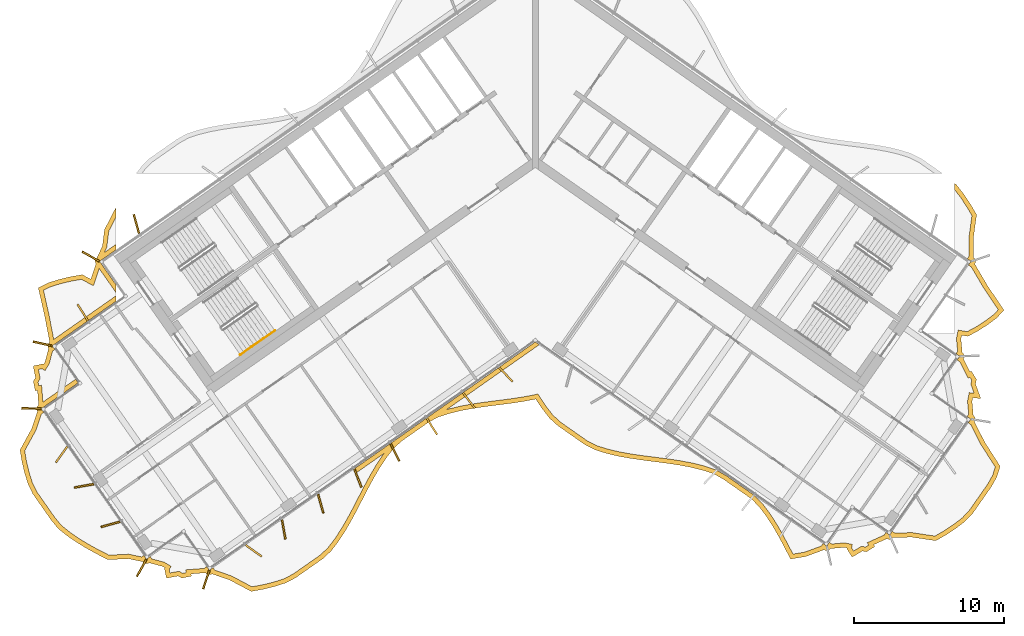
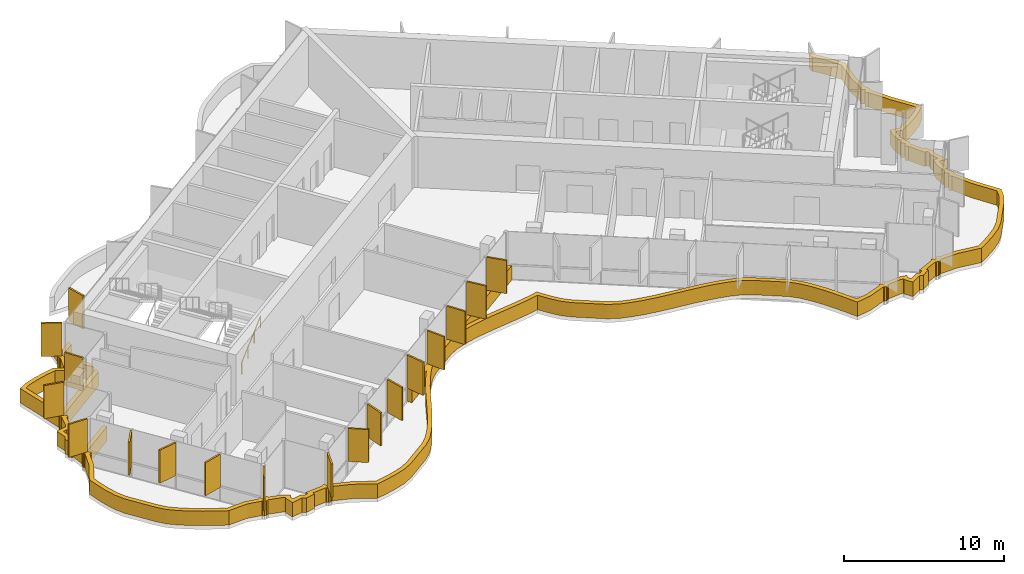
# One storey, part 13 of 17: 19 shading devices, 1 railing.
"""IFC4 building model written with IfcOpenShell, lengths in metres."""

import ifcopenshell
import ifcopenshell.guid

model = None  # the IFC model being written
_history = None  # IfcOwnerHistory: only IFC2X3 demands one
_inside = {}  # id of a spatial element -> (the spatial element, [elements in it])
_under = {}  # id of a project, library or spatial element -> (it, [spatial elements below it])
_declared = {}  # id of a project -> (the project, [libraries it declares])
_typed = {}  # id of a type object -> (the type object, [elements of that type])
_made_of = {}  # id of a material, layer set ... -> (it, [elements and type objects made of it])


def new_model(schema):
    """Start an empty IFC model of exactly this schema.

    Asked for "IFC4X3", IfcOpenShell would pick the latest addendum, in which some entities
    have other attributes; the version numbers below select the first issue.
    IFC2X3 requires an IfcOwnerHistory on every rooted entity: one is made here for all.
    """
    global model, _history
    if schema == "IFC4X3":
        model = ifcopenshell.file(schema_version=(4, 3, 0, 0))
    else:
        model = ifcopenshell.file(schema=schema)
    _inside.clear()
    _under.clear()
    _declared.clear()
    _typed.clear()
    _made_of.clear()
    _history = None
    if model.schema == "IFC2X3":
        org = make("IfcOrganization", Name="unknown")
        user = make(
            "IfcPersonAndOrganization",
            ThePerson=make("IfcPerson", FamilyName="unknown"),
            TheOrganization=org,
        )
        app = make(
            "IfcApplication",
            ApplicationDeveloper=org,
            Version="unknown",
            ApplicationFullName="unknown",
            ApplicationIdentifier="unknown",
        )
        _history = make(
            "IfcOwnerHistory",
            OwningUser=user,
            OwningApplication=app,
            ChangeAction="ADDED",
            CreationDate=0,
        )
    return model


def make(cls, **values):
    """One entity of the class cls with the attributes given. An attribute that is None is left unset."""
    return model.create_entity(
        cls, **{name: value for name, value in values.items() if value is not None}
    )


def rooted(cls, **values):
    """An entity with a GlobalId (a new one), such as an element, a storey or a relation."""
    return make(cls, GlobalId=ifcopenshell.guid.new(), OwnerHistory=_history, **values)


def si_unit(unit_type, name, prefix=None):
    """IfcSIUnit, for example si_unit("LENGTHUNIT", "METRE", prefix="MILLI")."""
    return make("IfcSIUnit", UnitType=unit_type, Prefix=prefix, Name=name)


def assignment(units):
    """IfcUnitAssignment: the units of a project."""
    return None if units is None else make("IfcUnitAssignment", Units=units)


def point(xyz):
    """IfcCartesianPoint."""
    return None if xyz is None else make("IfcCartesianPoint", Coordinates=xyz)


def direction(xyz):
    """IfcDirection."""
    return None if xyz is None else make("IfcDirection", DirectionRatios=xyz)


def frame(location, z_axis=None, x_axis=None):
    """IfcAxis2Placement3D, a coordinate frame: its origin and axes. An axis left out is left unset."""
    return make(
        "IfcAxis2Placement3D",
        Location=point(location),
        Axis=direction(z_axis),
        RefDirection=direction(x_axis),
    )


def frame_2d(location, x_axis=None):
    """IfcAxis2Placement2D, a coordinate frame in the plane: its origin and x axis."""
    return make(
        "IfcAxis2Placement2D", Location=point(location), RefDirection=direction(x_axis)
    )


def origin():
    """The frame at (0, 0, 0) with its axes left unset."""
    return frame((0.0, 0.0, 0.0))


def origin_2d():
    """The frame at (0, 0) in the plane with its x axis left unset."""
    return frame_2d((0.0, 0.0))


def place(relative_to, where):
    """IfcLocalPlacement: puts the frame where relative to a parent placement (None: the world)."""
    return make(
        "IfcLocalPlacement", PlacementRelTo=relative_to, RelativePlacement=where
    )


def context(
    kind, dimensions, precision=None, world=None, true_north=None, identifier=None
):
    """IfcGeometricRepresentationContext, for example the 3D "Model" context."""
    return make(
        "IfcGeometricRepresentationContext",
        ContextIdentifier=identifier,
        ContextType=kind,
        CoordinateSpaceDimension=dimensions,
        Precision=precision,
        WorldCoordinateSystem=world,
        TrueNorth=true_north,
    )


def subcontext(parent, identifier, kind, view, scale=None):
    """IfcGeometricRepresentationSubContext, for example "Body" below "Model"."""
    return make(
        "IfcGeometricRepresentationSubContext",
        ContextIdentifier=identifier,
        ContextType=kind,
        ParentContext=parent,
        TargetScale=scale,
        TargetView=view,
    )


def project(units=None, contexts=None):
    """IfcProject with its units and contexts."""
    return rooted(
        "IfcProject",
        Name="project",
        RepresentationContexts=contexts,
        UnitsInContext=assignment(units),
    )


def spatial(cls, under=None, at=None, **own):
    """A site, building, storey or space (cls), placed at a placement, below another one or the project."""
    s = rooted(cls, ObjectPlacement=at, **own)
    if under is not None:
        _under.setdefault(under.id(), (under, []))[1].append(s)
    return s


def polyline(points):
    """IfcPolyline through the points."""
    return make("IfcPolyline", Points=[point(p) for p in points])


def profile(cls, at=None, kind="AREA", **sizes):
    """A parametric profile (cls). Its sizes go by their IFC names, for example OverallWidth=200.0."""
    return make(cls, ProfileType=kind, Position=at, **sizes)


def rectangle(**sizes):
    """IfcRectangleProfileDef."""
    return profile("IfcRectangleProfileDef", **sizes)


def circle(**sizes):
    """IfcCircleProfileDef."""
    return profile("IfcCircleProfileDef", **sizes)


def outline(outer, holes=None, kind="AREA"):
    """IfcArbitraryClosedProfileDef: a profile drawn as a closed curve; with holes, ...WithVoids."""
    if holes is None:
        return make("IfcArbitraryClosedProfileDef", ProfileType=kind, OuterCurve=outer)
    return make(
        "IfcArbitraryProfileDefWithVoids",
        ProfileType=kind,
        OuterCurve=outer,
        InnerCurves=holes,
    )


def extrude(swept, where, along, depth):
    """IfcExtrudedAreaSolid: the profile swept, set in the frame where, extruded along a direction by depth."""
    return make(
        "IfcExtrudedAreaSolid",
        SweptArea=swept,
        Position=where,
        ExtrudedDirection=direction(along),
        Depth=depth,
    )


def shape(context_of_items, identifier, shape_type, items):
    """IfcShapeRepresentation: the items that make up one representation, for example the "Body"."""
    return make(
        "IfcShapeRepresentation",
        ContextOfItems=context_of_items,
        RepresentationIdentifier=identifier,
        RepresentationType=shape_type,
        Items=items,
    )


def material(Name=None, Category=None):
    """IfcMaterial."""
    return make("IfcMaterial", Name=Name, Category=Category)


def layer(
    of_material, thickness, ventilated=None, Name=None, Category=None, Priority=None
):
    """IfcMaterialLayer: one layer of a wall or slab, of a material (None: an air gap)."""
    return make(
        "IfcMaterialLayer",
        Material=of_material,
        LayerThickness=thickness,
        IsVentilated=ventilated,
        Name=Name,
        Category=Category,
        Priority=Priority,
    )


def layer_set(layers, Name=None):
    """IfcMaterialLayerSet."""
    return make("IfcMaterialLayerSet", MaterialLayers=layers, LayerSetName=Name)


def made_of(thing, what):
    """Note that an element or type object is made of a material, layer set ...; save() writes the relation."""
    if what is not None:
        _made_of.setdefault(what.id(), (what, []))[1].append(thing)
    return thing


def type_object(cls, material=None, **own):
    """A type object (cls), such as IfcWallType, which elements share."""
    return made_of(rooted(cls, **own), material)


def element(
    cls,
    number,
    at=None,
    inside=None,
    cuts=None,
    type_object=None,
    material=None,
    context=None,
    identifier="Body",
    shape_type=None,
    held_by="IfcProductDefinitionShape",
    body=None,
    shapes=None,
    **own,
):
    """One element of the class cls, such as IfcWall. Its Tag is "e" and its number.

    at: its placement. inside: the storey or other place that contains it. cuts: it is an
    opening in that element (IfcRelVoidsElement). A single representation is given by context,
    identifier, shape_type and body (its items); several are given by shapes. held_by: the class
    of the entity that holds the representations. save() writes the other relations.
    """
    e = rooted(cls, Tag="e%d" % number, ObjectPlacement=at, **own)
    if body is not None:
        shapes = [shape(context, identifier, shape_type, body)]
    if shapes is not None:
        e.Representation = make(held_by, Representations=shapes)
    if inside is not None:
        _inside.setdefault(inside.id(), (inside, []))[1].append(e)
    if cuts is not None:
        rooted(
            "IfcRelVoidsElement", RelatingBuildingElement=cuts, RelatedOpeningElement=e
        )
    if type_object is not None:
        _typed.setdefault(type_object.id(), (type_object, []))[1].append(e)
    return made_of(e, material)


def aggregate(whole, parts):
    """IfcRelAggregates: a whole, such as a stair, and the parts it consists of."""
    return rooted("IfcRelAggregates", RelatingObject=whole, RelatedObjects=parts)


def save(model, path):
    """Write the relations noted so far, then the file.

    IfcRelAggregates (storeys below a building ...), IfcRelContainedInSpatialStructure (elements
    in a storey), IfcRelDefinesByType, IfcRelAssociatesMaterial and IfcRelDeclares: one each for
    every whole, place, type object, material and project.
    """
    for whole, parts in _under.values():
        aggregate(whole, parts)
    for where, things in _inside.values():
        rooted(
            "IfcRelContainedInSpatialStructure",
            RelatedElements=things,
            RelatingStructure=where,
        )
    for kind, things in _typed.values():
        rooted("IfcRelDefinesByType", RelatedObjects=things, RelatingType=kind)
    for what, things in _made_of.values():
        rooted("IfcRelAssociatesMaterial", RelatedObjects=things, RelatingMaterial=what)
    for by, libraries in _declared.values():
        rooted("IfcRelDeclares", RelatingContext=by, RelatedDefinitions=libraries)
    model.write(path)


model = new_model("IFC4")

# Units and contexts
model_context = context("Model", 3, precision=1e-05, world=origin(), true_north=direction((0.0, 1.0)))
body_context = subcontext(model_context, "Body", "Model", "MODEL_VIEW")
ifc_project = project(units=[si_unit("LENGTHUNIT", "METRE"), si_unit("AREAUNIT", "SQUARE_METRE"), si_unit("VOLUMEUNIT", "CUBIC_METRE"), si_unit("PLANEANGLEUNIT", "RADIAN"), si_unit("MASSUNIT", "GRAM", prefix="KILO")], contexts=[model_context])

# Site, building, storey
site_placement = place(None, origin())
site = spatial("IfcSite", under=ifc_project, at=site_placement, CompositionType="ELEMENT")
building_placement = place(site_placement, origin())
building = spatial("IfcBuilding", under=site, at=building_placement, Name="Tel Ilan Convention Tower", CompositionType="ELEMENT")
storey_placement = place(building_placement, frame((0.0, 0.0, 280.0)))
storey = spatial("IfcBuildingStorey", under=building, at=storey_placement, Name="L66", CompositionType="ELEMENT", Elevation=280.0)

# Shading devices
ifc_material_1 = material(Name="Aluminium, bronze anodised", Category="aluminium")
ifc_layer_1 = layer(ifc_material_1, 0.1201171875)
ifc_layer_set_1 = layer_set([ifc_layer_1], Name="FIN BRONZE 1300x120")
shading_device_type_1 = type_object("IfcShadingDeviceType", Name="FIN BRONZE 1300x120", PredefinedType="USERDEFINED", material=ifc_layer_set_1)
for number, where, z_axis, x_axis, name in (
    (1, (-26.51171875, -4.9736328125, 1.10009765625), (0.0, 0.0, 1.0), (-0.268172612768, 0.963370878614, 0.0), "FIN"),
    (2, (-29.5439453125, -7.13623046875, 1.10009765625), (0.0, 0.0, 1.0), (-0.870832754082, 0.491579408049, 0.0), "FIN"),
    (3, (-30.076416015625, -10.8642578125, 1.10009765625), (0.0, 0.0, 1.0), (-0.533204432798, 0.845986425922, 0.0), "FIN"),
    (4, (-32.740234375, -12.935302734375, 1.10009765625), (0.0, 0.0, 1.0), (-0.975235208752, 0.221170268371, 0.0), "FIN"),
    (5, (-33.498291015625, -17.2373046875, 1.10009765625), (0.0, 0.0, 1.0), (-0.999576950082, 0.029084718749, 0.0), "FIN"),
    (6, (-31.485107421875, -20.2958984375, 1.10009765625), (0.0, 0.0, 1.0), (-0.581492071294, -0.813552070258, 0.0), "FIN"),
    (7, (-30.002197265625, -22.381591796875, 1.10009765625), (0.0, 0.0, 1.0), (-0.984807753012, -0.173648177667, 0.0), "FIN"),
    (8, (-28.234619140625, -24.938232421875, 1.10009765625), (0.0, 0.0, 1.0), (-0.963370878614, -0.268172612768, 0.0), "FIN"),
    (9, (-26.165771484375, -27.83642578125, 1.10009765625), (0.0, 0.0, 1.0), (-0.491579408049, -0.870832754082, 0.0), "FIN"),
    (10, (-21.87060546875, -28.613037109375, 1.10009765625), (0.0, 0.0, 1.0), (-0.314544756146, -0.949242643575, 0.0), "FIN"),
    (11, (-18.717529296875, -26.6962890625, 1.10009765625), (0.0, 0.0, 1.0), (0.813552070258, -0.581492071294, 0.0), "FIN"),
    (12, (-16.72314453125, -25.27734375, 1.10009765625), (0.0, 0.0, 1.0), (0.173648177667, -0.984807753012, 0.0), "FIN"),
    (13, (-14.2578125, -23.573486328125, 1.10009765625), (0.0, 0.0, 1.0), (0.268172612768, -0.963370878614, 0.0), "FIN"),
    (14, (-11.7939453125, -21.863525390625, 1.10009765625), (0.0, 0.0, 1.0), (0.360177724803, -0.932883704733, 0.0), "FIN"),
    (15, (-9.332275390625, -20.14794921875, 1.10009765625), (0.0, 0.0, 1.0), (0.448799180206, -0.893632640321, 0.0), "FIN"),
    (16, (-6.87353515625, -18.426513671875, 1.10009765625), (0.0, 0.0, 1.0), (0.533204432798, -0.845986425922, 0.0), "FIN"),
    (17, (-4.414794921875, -16.704833984375, 1.10009765625), (0.0, 0.0, 1.0), (0.612600545196, -0.790392669516, 0.0), "FIN"),
    (18, (-1.95654296875, -14.983154296875, 1.10009765625), (0.0, 0.0, 1.0), (0.686241637865, -0.727373641577, 0.0), "FIN"),
):
    element("IfcShadingDevice", number, at=place(storey_placement, frame(where, z_axis=z_axis, x_axis=x_axis)), inside=storey, type_object=shading_device_type_1, Name=name, ObjectType="FIN", PredefinedType="USERDEFINED", context=body_context, shape_type="SweptSolid", body=[
        extrude(rectangle(XDim=1.300048828125, YDim=0.1201171875, at=origin_2d()), origin(), (0.0, 0.0, 1.0), 2.52001953125),
    ])
ifc_material_2 = material(Name="Aluminium, bronze anodised", Category="aluminium")
ifc_layer_2 = layer(ifc_material_2, 0.300048828125)
ifc_layer_set_2 = layer_set([ifc_layer_2], Name="LOUVRE BAND 300x1100")
shading_device_type_2 = type_object("IfcShadingDeviceType", Name="LOUVRE BAND 300x1100", PredefinedType="USERDEFINED", material=ifc_layer_set_2)
shading_device_placement = place(storey_placement, origin())
element("IfcShadingDevice", 19, at=shading_device_placement, inside=storey, type_object=shading_device_type_2, Name="LOUVRE BAND 50.01", ObjectType="LOUVRE", PredefinedType="USERDEFINED", context=body_context, shape_type="SweptSolid", body=[
    extrude(outline(polyline([(-33.47021484375, -18.574462890625), (-34.248779296875, -19.995849609375), (-34.1181640625, -20.780517578125), (-33.940185546875, -21.531982421875), (-33.7158203125, -22.2509765625), (-33.401611328125, -22.906982421875), (-32.166748046875, -24.670654296875), (-31.707763671875, -25.22509765625), (-31.125732421875, -25.69384765625), (-30.49462890625, -26.1279296875), (-29.82373046875, -26.5341796875), (-29.12353515625, -26.920166015625), (-28.398193359375, -27.288330078125), (-27.05419921875, -27.223388671875), (-26.083984375, -27.420166015625), (-26.05517578125, -27.46337890625), (-25.957763671875, -27.5283203125), (-25.843017578125, -27.55126953125), (-25.728271484375, -27.5283203125), (-25.674072265625, -27.492431640625), (-24.7724609375, -27.73388671875), (-24.61669921875, -27.828857421875), (-24.64697265625, -27.878662109375), (-24.51416015625, -28.518310546875), (-23.728759765625, -28.3701171875), (-23.49462890625, -28.5126953125), (-22.855224609375, -28.3798828125), (-22.8828125, -28.233154296875), (-21.90576171875, -28.15673828125), (-21.876953125, -28.2001953125), (-21.779541015625, -28.26513671875), (-21.664794921875, -28.2880859375), (-21.550048828125, -28.26513671875), (-21.49609375, -28.22900390625), (-20.311279296875, -28.64013671875), (-18.883544921875, -29.3984375), (-18.087646484375, -29.25439453125), (-17.32080078125, -29.068359375), (-16.588623046875, -28.833251953125), (-15.931640625, -28.490478515625), (-14.12646484375, -27.226318359375), (-13.582763671875, -26.721923828125), (-13.1123046875, -26.113037109375), (-12.67626953125, -25.454833984375), (-12.267333984375, -24.7578125), (-11.87744140625, -24.0341796875), (-11.11572265625, -22.56005859375), (-10.724853515625, -21.83740234375), (-10.314697265625, -21.142333984375), (-9.877197265625, -20.486572265625), (-9.404541015625, -19.88037109375), (-8.85498046875, -19.384765625), (-7.049560546875, -18.12060546875), (-6.386474609375, -17.78662109375), (-5.65234375, -17.55419921875), (-4.884033203125, -17.370849609375), (-4.088623046875, -17.225830078125), (-3.274658203125, -17.107421875), (-1.629150390625, -16.895751953125), (-0.816650390625, -16.775146484375), (0.03369140625, -16.6123046875), (0.481201171875, -17.28466796875), (0.956298828125, -17.894287109375), (1.509765625, -18.392333984375), (3.325927734375, -19.663818359375), (3.99609375, -19.9951171875), (4.73583984375, -20.22705078125), (5.510009765625, -20.40966796875), (6.311279296875, -20.553955078125), (7.130615234375, -20.672119140625), (8.785888671875, -20.885009765625), (9.601806640625, -21.008056640625), (10.3974609375, -21.16015625), (11.16455078125, -21.353271484375), (11.8955078125, -21.59765625), (12.540283203125, -21.965087890625), (14.356201171875, -23.23681640625), (14.88330078125, -23.7724609375), (15.349853515625, -24.39453125), (15.782958984375, -25.064453125), (16.18994140625, -25.771728515625), (16.57958984375, -26.50341796875), (16.96240234375, -27.2451171875), (17.983642578125, -27.074951171875), (19.202392578125, -26.623046875), (19.25634765625, -26.6591796875), (19.37109375, -26.681884765625), (19.486083984375, -26.6591796875), (19.583251953125, -26.593994140625), (19.6123046875, -26.55078125), (20.542236328125, -26.469482421875), (20.72119140625, -26.50537109375), (20.709716796875, -26.5625), (21.052978515625, -27.1181640625), (21.740478515625, -26.710205078125), (22.00927734375, -26.76416015625), (22.564697265625, -26.420654296875), (22.488525390625, -26.292236328125), (23.380615234375, -25.88623046875), (23.4345703125, -25.92236328125), (23.54931640625, -25.9453125), (23.6640625, -25.92236328125), (23.761474609375, -25.857421875), (23.79052734375, -25.81396484375), (25.015625, -25.789306640625), (26.617919921875, -26.0283203125), (27.311767578125, -25.631591796875), (27.9609375, -25.203369140625), (28.5625, -24.741943359375), (29.068603515625, -24.213623046875), (30.31298828125, -22.436767578125), (30.669189453125, -21.803466796875), (30.8984375, -21.081298828125), (29.872314453125, -19.47998046875), (29.18212890625, -18.114013671875), (29.218017578125, -18.06005859375), (29.240966796875, -17.9453125), (29.218017578125, -17.830322265625), (29.153076171875, -17.733154296875), (29.10986328125, -17.7041015625), (29.028564453125, -16.774169921875), (29.080322265625, -16.5166015625), (29.61181640625, -16.583740234375), (29.26171875, -15.613037109375), (29.3232421875, -15.30712890625), (28.979736328125, -14.751708984375), (28.889404296875, -14.80517578125), (28.4453125, -13.935791015625), (28.4814453125, -13.8818359375), (28.504150390625, -13.76708984375), (28.4814453125, -13.652099609375), (28.416259765625, -13.554931640625), (28.373046875, -13.52587890625), (28.291748046875, -12.595947265625), (28.33642578125, -12.373291015625), (28.752685546875, -12.44189453125), (29.445068359375, -12.072265625), (30.077880859375, -11.660888671875), (30.66748046875, -11.218994140625), (31.151123046875, -10.703125), (30.056640625, -9.082275390625), (29.199951171875, -7.6279296875), (29.236083984375, -7.57373046875), (29.2587890625, -7.458984375), (29.236083984375, -7.34423828125), (29.1708984375, -7.246826171875), (29.127685546875, -7.218017578125), (29.10986328125, -5.95947265625), (29.331298828125, -4.35888671875), (28.922119140625, -3.659423828125), (28.48388671875, -3.001220703125), (28.0107421875, -2.392822265625), (27.874755859375, -2.269287109375), (27.874755859375, -2.70654296875), (28.240234375, -3.176513671875), (28.66748046875, -3.818359375), (29.02001953125, -4.420654296875), (28.809326171875, -5.941162109375), (28.829345703125, -7.12109375), (28.713134765625, -7.286865234375), (28.958740234375, -7.458984375), (28.787353515625, -7.705322265625), (28.97900390625, -7.83935546875), (29.802734375, -9.2421875), (30.7685546875, -10.672607421875), (30.466552734375, -10.99462890625), (29.906005859375, -11.414794921875), (29.292236328125, -11.813720703125), (28.701171875, -12.12939453125), (28.099365234375, -12.0302734375), (27.989013671875, -12.579833984375), (28.067626953125, -13.439208984375), (27.95849609375, -13.594970703125), (28.204345703125, -13.76708984375), (28.03271484375, -14.01318359375), (28.21630859375, -14.141845703125), (28.766845703125, -15.226806640625), (28.87939453125, -15.159912109375), (29.005859375, -15.3642578125), (28.951171875, -15.635986328125), (29.163330078125, -16.224853515625), (28.841064453125, -16.18408203125), (28.725830078125, -16.758056640625), (28.80419921875, -17.617431640625), (28.6953125, -17.773193359375), (28.94091796875, -17.9453125), (28.76953125, -18.19140625), (28.95263671875, -18.319580078125), (29.611328125, -19.62890625), (30.56982421875, -21.12451171875), (30.392578125, -21.68310546875), (30.05859375, -22.276611328125), (28.836181640625, -24.022705078125), (28.36181640625, -24.517822265625), (27.78662109375, -24.958740234375), (27.154541015625, -25.3759765625), (26.559326171875, -25.71630859375), (25.034423828125, -25.48876953125), (23.886474609375, -25.51513671875), (23.721435546875, -25.3994140625), (23.54931640625, -25.645263671875), (23.30322265625, -25.473876953125), (23.1787109375, -25.6513671875), (22.059326171875, -26.156982421875), (22.156494140625, -26.320556640625), (21.9521484375, -26.44677734375), (21.6865234375, -26.393310546875), (21.1533203125, -26.709716796875), (21.027099609375, -26.505615234375), (21.07421875, -26.2705078125), (20.558349609375, -26.166748046875), (19.698974609375, -26.245361328125), (19.543212890625, -26.13623046875), (19.37109375, -26.382080078125), (19.125, -26.21044921875), (19.00732421875, -26.378662109375), (17.90673828125, -26.78369140625), (17.12890625, -26.913330078125), (16.452392578125, -25.626220703125), (16.0390625, -24.908203125), (15.59619140625, -24.222900390625), (15.111328125, -23.576416015625), (14.55078125, -23.0068359375), (12.700927734375, -21.71142578125), (12.0185546875, -21.322509765625), (11.248779296875, -21.06494140625), (10.46240234375, -20.866943359375), (9.65234375, -20.712158203125), (8.827392578125, -20.587890625), (7.171142578125, -20.374755859375), (6.359375, -20.2578125), (5.571044921875, -20.11572265625), (4.815185546875, -19.9375), (4.108154296875, -19.7158203125), (3.479248046875, -19.405029296875), (1.697021484375, -18.156982421875), (1.1767578125, -17.68896484375), (0.724609375, -17.10888671875), (0.29541015625, -16.465576171875), (0.1787109375, -16.2666015625), (-0.087890625, -16.33349609375), (-0.866455078125, -16.479248046875), (-1.67041015625, -16.5986328125), (-3.315185546875, -16.81005859375), (-4.136962890625, -16.9296875), (-4.945556640625, -17.0771484375), (-5.732666015625, -17.264892578125), (-5.906005859375, -17.31982421875), (0.261474609375, -13.001220703125), (0.0, -12.818115234375), (-12.00537109375, -21.224365234375), (-11.833251953125, -21.47021484375), (-10.0517578125, -20.22265625), (-10.12060546875, -20.310791015625), (-10.56884765625, -20.982666015625), (-10.986083984375, -21.68994140625), (-11.380859375, -22.419677734375), (-12.142578125, -23.89404296875), (-12.529052734375, -24.61083984375), (-12.930908203125, -25.2958984375), (-13.356201171875, -25.938232421875), (-13.804931640625, -26.518798828125), (-14.315185546875, -26.992431640625), (-16.087890625, -28.233642578125), (-16.704833984375, -28.555419921875), (-17.402099609375, -28.779541015625), (-18.149658203125, -28.960693359375), (-18.83447265625, -29.084716796875), (-20.19140625, -28.3642578125), (-21.302978515625, -27.981689453125), (-21.418701171875, -27.816650390625), (-21.664794921875, -27.988037109375), (-21.8369140625, -27.7421875), (-22.01513671875, -27.8671875), (-23.239990234375, -27.959228515625), (-23.20458984375, -28.14599609375), (-23.439697265625, -28.19482421875), (-23.671142578125, -28.053955078125), (-24.2802734375, -28.1689453125), (-24.3291015625, -27.933837890625), (-24.204345703125, -27.72900390625), (-24.65380859375, -27.455078125), (-25.48828125, -27.23486328125), (-25.5966796875, -27.079833984375), (-25.843017578125, -27.251220703125), (-26.01513671875, -27.005615234375), (-26.15478515625, -27.103271484375), (-27.03076171875, -26.921875), (-28.333251953125, -26.98486328125), (-28.983154296875, -26.65478515625), (-29.673583984375, -26.2744140625), (-30.331787109375, -25.8759765625), (-30.946533203125, -25.453125), (-31.495849609375, -25.010498046875), (-31.927978515625, -24.488525390625), (-33.141845703125, -22.755126953125), (-33.43603515625, -22.140869140625), (-33.650634765625, -21.45263671875), (-33.823974609375, -20.72119140625), (-33.935791015625, -20.048828125), (-33.1943359375, -18.6953125), (-32.833251953125, -17.61865234375), (-32.66845703125, -17.50341796875), (-32.840576171875, -17.257568359375), (-30.383056640625, -15.536865234375), (-30.55517578125, -15.291015625), (-32.726806640625, -16.811767578125), (-32.811767578125, -15.6826171875), (-32.998779296875, -15.7177734375), (-33.047607421875, -15.482666015625), (-32.906494140625, -15.251220703125), (-33.021484375, -14.64208984375), (-32.786376953125, -14.59326171875), (-32.58154296875, -14.718017578125), (-32.3076171875, -14.268798828125), (-32.087646484375, -13.434326171875), (-31.931884765625, -13.3251953125), (-32.103759765625, -13.079345703125), (-27.874755859375, -10.1181640625), (-27.874755859375, -9.751953125), (-32.006591796875, -12.64501953125), (-32.314697265625, -11.033447265625), (-32.68798828125, -9.385986328125), (-32.26708984375, -9.168701171875), (-31.5771484375, -8.950439453125), (-30.838623046875, -8.77392578125), (-30.161376953125, -8.65625), (-29.363525390625, -9.087646484375), (-28.9892578125, -7.938720703125), (-27.874755859375, -9.530029296875), (-27.874755859375, -9.007080078125), (-28.958740234375, -7.458984375), (-27.874755859375, -6.699951171875), (-27.874755859375, -6.333740234375), (-28.640380859375, -6.869873046875), (-28.480224609375, -6.525634765625), (-28.343994140625, -5.44384765625), (-27.874755859375, -4.536376953125), (-27.874755859375, -3.881103515625), (-28.635009765625, -5.353271484375), (-28.772216796875, -6.441650390625), (-29.127685546875, -7.218017578125), (-29.1708984375, -7.246826171875), (-29.236083984375, -7.34423828125), (-29.2587890625, -7.458984375), (-29.236083984375, -7.57373046875), (-29.199951171875, -7.6279296875), (-29.537353515625, -8.652587890625), (-30.110107421875, -8.3427734375), (-30.899169921875, -8.47998046875), (-31.6572265625, -8.661376953125), (-32.3818359375, -8.890380859375), (-33.031982421875, -9.225830078125), (-32.6083984375, -11.094970703125), (-32.272705078125, -12.83837890625), (-32.31591796875, -12.8671875), (-32.381103515625, -12.964599609375), (-32.40380859375, -13.079345703125), (-32.381103515625, -13.1943359375), (-32.344970703125, -13.248291015625), (-32.586669921875, -14.14990234375), (-32.681640625, -14.3056640625), (-32.7314453125, -14.275390625), (-33.370849609375, -14.408203125), (-33.22265625, -15.193603515625), (-33.365478515625, -15.427734375), (-33.232666015625, -16.067138671875), (-33.0859375, -16.03955078125), (-33.009521484375, -17.0166015625), (-33.052734375, -17.04541015625), (-33.11767578125, -17.142822265625), (-33.140625, -17.257568359375), (-33.11767578125, -17.372314453125), (-33.081787109375, -17.426513671875), (-33.47021484375, -18.574462890625)])), origin(), (0.0, 0.0, 1.0), 1.10009765625),
])

# Railing
ifc_material_3 = material(Name="Stainless Steel Grade 316", Category="steel")
railing_type = type_object("IfcRailingType", Name="Stainless Steel Stair Handrail 900 mm", PredefinedType="HANDRAIL", material=ifc_material_3)
railing_placement = place(storey_placement, frame((-19.6064453125, -13.66748046875, 0.17724609375)))
element("IfcRailing", 20, at=railing_placement, inside=storey, type_object=railing_type, Name="L66 S2 stair handrail 1", PredefinedType="HANDRAIL", context=body_context, shape_type="SweptSolid", body=[
    extrude(circle(Radius=0.02392578125, at=origin_2d()), frame((0.0, 0.0, 0.8759765625), z_axis=(0.692123088272, 0.484596665743, 0.534912798717), x_axis=(-0.573550118428, 0.819170471667, 0.0)), (0.0, 0.0, 1.0), 3.31396484375),
    extrude(circle(Radius=0.02099609375, at=origin_2d()), origin(), (0.0, 0.0, 1.0), 0.851806640625),
    extrude(circle(Radius=0.02099609375, at=origin_2d()), frame((0.7646484375, 0.535400390625, 0.5908203125)), (0.0, 0.0, 1.0), 0.851806640625),
    extrude(circle(Radius=0.02099609375, at=origin_2d()), frame((1.529052734375, 1.070556640625, 1.181884765625)), (0.0, 0.0, 1.0), 0.851806640625),
    extrude(circle(Radius=0.02099609375, at=origin_2d()), frame((2.293701171875, 1.60595703125, 1.772705078125)), (0.0, 0.0, 1.0), 0.851806640625),
])

save(model, "model.ifc")
